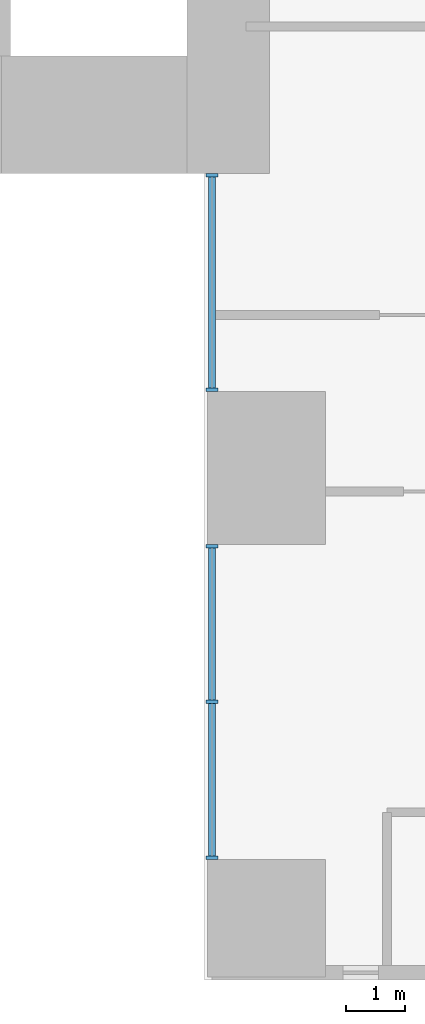
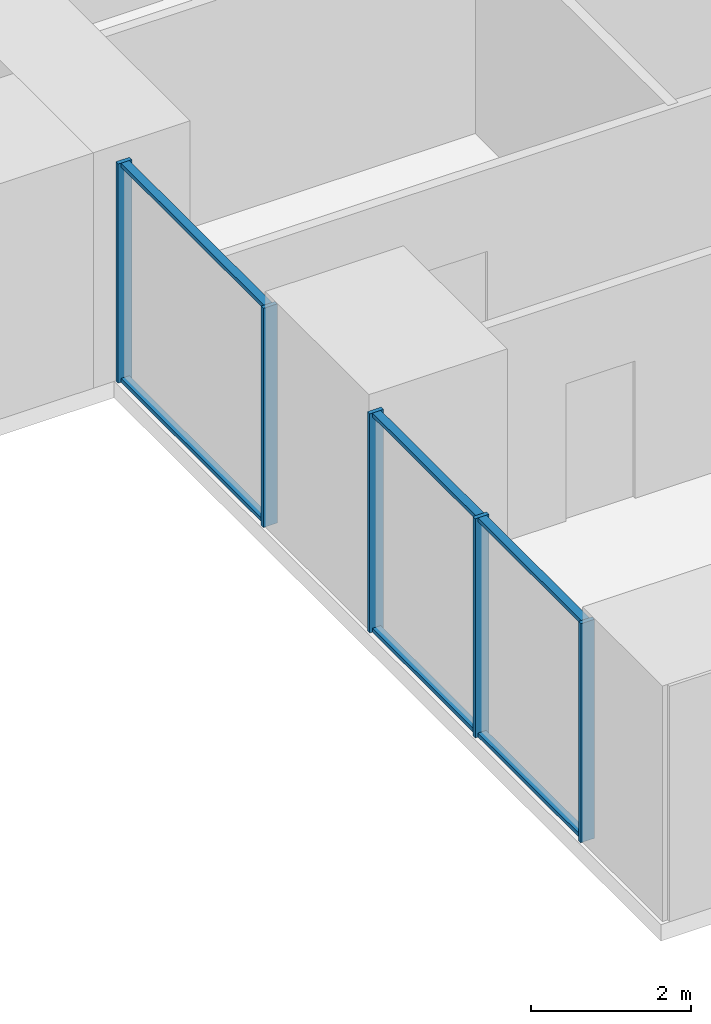
# One storey, part 3 of 20: 11 members, 2 elements without a shape of their own.
"""IFC4 building model written with IfcOpenShell, lengths in metres."""

from ifc_helpers import new_model, si_unit, direction, frame, origin, origin_2d, place, context, subcontext, project, spatial, rectangle, extrude, material, layer, layer_set, material_profile, profile_set, type_object, element, aggregate, save


model = new_model("IFC4")

# Units and contexts
model_context = context("Model", 3, precision=1e-05, world=origin(), true_north=direction((0.0, 1.0)))
body_context = subcontext(model_context, "Body", "Model", "MODEL_VIEW")
ifc_project = project(units=[si_unit("LENGTHUNIT", "METRE"), si_unit("AREAUNIT", "SQUARE_METRE"), si_unit("VOLUMEUNIT", "CUBIC_METRE"), si_unit("PLANEANGLEUNIT", "RADIAN"), si_unit("MASSUNIT", "GRAM", prefix="KILO")], contexts=[model_context])

# Site, building, storey
site_placement = place(None, origin())
site = spatial("IfcSite", under=ifc_project, at=site_placement, CompositionType="ELEMENT")
building_placement = place(site_placement, origin())
building = spatial("IfcBuilding", under=site, at=building_placement, Name="Cleftline Residences", CompositionType="ELEMENT")
storey_placement = place(building_placement, frame((0.0, 0.0, 96.199951171875)))
storey = spatial("IfcBuildingStorey", under=building, at=storey_placement, Name="L24", CompositionType="ELEMENT", Elevation=96.199951171875)

# Curtain wall, members
ifc_material_1 = material(Name="Aluminium framed curtain wall", Category="aluminium")
ifc_layer = layer(ifc_material_1, 0.199951171875)
ifc_layer_set = layer_set([ifc_layer], Name="CW1 CLEFT GLAZING")
curtain_wall_type = type_object("IfcCurtainWallType", Name="CW1 CLEFT GLAZING", PredefinedType="NOTDEFINED", material=ifc_layer_set)
curtain_wall_1_placement = place(storey_placement, origin())
curtain_wall_1 = element("IfcCurtainWall", 1, at=curtain_wall_1_placement, inside=storey, type_object=curtain_wall_type, Name="Curtain wall CW1", PredefinedType="NOTDEFINED")
ifc_material_2 = material(Name="Aluminium mullion", Category="aluminium")
ifc_material_profile_1 = material_profile(ifc_material_2, rectangle(XDim=0.199951171875, YDim=0.06005859375, at=origin_2d()))
ifc_profile_set_1 = profile_set([ifc_material_profile_1], Name="Aluminium mullion")
member_type_1 = type_object("IfcMemberType", Name="CW1 MULLION", PredefinedType="MULLION", material=ifc_profile_set_1)
member_1_placement = place(storey_placement, frame((41.425048828125, 12.969970703125, 0.0), z_axis=(0.0, 0.0, 1.0), x_axis=(1.0, 0.0, 0.0)))
member_1 = element("IfcMember", 2, at=member_1_placement, type_object=member_type_1, Name="CW1 mullion 1", PredefinedType="MULLION", context=body_context, shape_type="SweptSolid", body=[
    extrude(rectangle(XDim=0.199951171875, YDim=0.06005859375, at=origin_2d()), origin(), (0.0, 0.0, 1.0), 3.35009765625),
])
member_2_placement = place(storey_placement, frame((41.425048828125, 9.330078125, 0.0), z_axis=(0.0, 0.0, 1.0), x_axis=(1.0, 0.0, 0.0)))
member_2 = element("IfcMember", 3, at=member_2_placement, type_object=member_type_1, Name="CW1 mullion 2", PredefinedType="MULLION", context=body_context, shape_type="SweptSolid", body=[
    extrude(rectangle(XDim=0.199951171875, YDim=0.06005859375, at=origin_2d()), origin(), (0.0, 0.0, 1.0), 3.35009765625),
])

curtain_wall_2_placement = place(storey_placement, origin())
curtain_wall_2 = element("IfcCurtainWall", 4, at=curtain_wall_2_placement, inside=storey, type_object=curtain_wall_type, Name="Curtain wall CW1", PredefinedType="NOTDEFINED")
member_3_placement = place(storey_placement, frame((41.425048828125, 6.669921875, 0.0), z_axis=(0.0, 0.0, 1.0), x_axis=(1.0, 0.0, 0.0)))
member_3 = element("IfcMember", 5, at=member_3_placement, type_object=member_type_1, Name="CW1 mullion 1", PredefinedType="MULLION", context=body_context, shape_type="SweptSolid", body=[
    extrude(rectangle(XDim=0.199951171875, YDim=0.06005859375, at=origin_2d()), origin(), (0.0, 0.0, 1.0), 3.35009765625),
])
member_4_placement = place(storey_placement, frame((41.425048828125, 4.02490234375, 0.0), z_axis=(0.0, 0.0, 1.0), x_axis=(1.0, 0.0, 0.0)))
member_4 = element("IfcMember", 6, at=member_4_placement, type_object=member_type_1, Name="CW1 mullion 2", PredefinedType="MULLION", context=body_context, shape_type="SweptSolid", body=[
    extrude(rectangle(XDim=0.199951171875, YDim=0.06005859375, at=origin_2d()), origin(), (0.0, 0.0, 1.0), 3.35009765625),
])
member_5_placement = place(storey_placement, frame((41.425048828125, 1.3798828125, 0.0), z_axis=(0.0, 0.0, 1.0), x_axis=(1.0, 0.0, 0.0)))
member_5 = element("IfcMember", 7, at=member_5_placement, type_object=member_type_1, Name="CW1 mullion 3", PredefinedType="MULLION", context=body_context, shape_type="SweptSolid", body=[
    extrude(rectangle(XDim=0.199951171875, YDim=0.06005859375, at=origin_2d()), origin(), (0.0, 0.0, 1.0), 3.35009765625),
])

# Member
ifc_material_3 = material(Name="Aluminium transom", Category="aluminium")
ifc_material_profile_2 = material_profile(ifc_material_3, rectangle(XDim=0.1201171875, YDim=0.06005859375, at=origin_2d()))
ifc_profile_set_2 = profile_set([ifc_material_profile_2], Name="Aluminium transom")
member_type_2 = type_object("IfcMemberType", Name="CW1 TRANSOM", PredefinedType="USERDEFINED", material=ifc_profile_set_2)
member_6_placement = place(storey_placement, frame((41.425048828125, 12.93994140625, 0.030029296875), z_axis=(0.0, -1.0, 0.0), x_axis=(1.0, 0.0, 0.0)))
member_6 = element("IfcMember", 8, at=member_6_placement, type_object=member_type_2, Name="CW1 transom 1.1", ObjectType="TRANSOM", PredefinedType="USERDEFINED", context=body_context, shape_type="SweptSolid", body=[
    extrude(rectangle(XDim=0.1201171875, YDim=0.06005859375, at=origin_2d()), origin(), (0.0, 0.0, 1.0), 3.579833984375),
])

member_7_placement = place(storey_placement, frame((41.425048828125, 12.93994140625, 3.320068359375), z_axis=(0.0, -1.0, 0.0), x_axis=(1.0, 0.0, 0.0)))
member_7 = element("IfcMember", 9, at=member_7_placement, type_object=member_type_2, Name="CW1 transom 1.2", ObjectType="TRANSOM", PredefinedType="USERDEFINED", context=body_context, shape_type="SweptSolid", body=[
    extrude(rectangle(XDim=0.1201171875, YDim=0.06005859375, at=origin_2d()), origin(), (0.0, 0.0, 1.0), 3.579833984375),
])

aggregate(curtain_wall_1, [member_1, member_2, member_6, member_7])

member_8_placement = place(storey_placement, frame((41.425048828125, 6.639892578125, 0.030029296875), z_axis=(0.0, -1.0, 0.0), x_axis=(1.0, 0.0, 0.0)))
member_8 = element("IfcMember", 10, at=member_8_placement, type_object=member_type_2, Name="CW1 transom 1.1", ObjectType="TRANSOM", PredefinedType="USERDEFINED", context=body_context, shape_type="SweptSolid", body=[
    extrude(rectangle(XDim=0.1201171875, YDim=0.06005859375, at=origin_2d()), origin(), (0.0, 0.0, 1.0), 2.5849609375),
])

member_9_placement = place(storey_placement, frame((41.425048828125, 6.639892578125, 3.320068359375), z_axis=(0.0, -1.0, 0.0), x_axis=(1.0, 0.0, 0.0)))
member_9 = element("IfcMember", 11, at=member_9_placement, type_object=member_type_2, Name="CW1 transom 1.2", ObjectType="TRANSOM", PredefinedType="USERDEFINED", context=body_context, shape_type="SweptSolid", body=[
    extrude(rectangle(XDim=0.1201171875, YDim=0.06005859375, at=origin_2d()), origin(), (0.0, 0.0, 1.0), 2.5849609375),
])

member_10_placement = place(storey_placement, frame((41.425048828125, 3.9951171875, 0.030029296875), z_axis=(0.0, -1.0, 0.0), x_axis=(1.0, 0.0, 0.0)))
member_10 = element("IfcMember", 12, at=member_10_placement, type_object=member_type_2, Name="CW1 transom 2.1", ObjectType="TRANSOM", PredefinedType="USERDEFINED", context=body_context, shape_type="SweptSolid", body=[
    extrude(rectangle(XDim=0.1201171875, YDim=0.06005859375, at=origin_2d()), origin(), (0.0, 0.0, 1.0), 2.585205078125),
])

member_11_placement = place(storey_placement, frame((41.425048828125, 3.9951171875, 3.320068359375), z_axis=(0.0, -1.0, 0.0), x_axis=(1.0, 0.0, 0.0)))
member_11 = element("IfcMember", 13, at=member_11_placement, type_object=member_type_2, Name="CW1 transom 2.2", ObjectType="TRANSOM", PredefinedType="USERDEFINED", context=body_context, shape_type="SweptSolid", body=[
    extrude(rectangle(XDim=0.1201171875, YDim=0.06005859375, at=origin_2d()), origin(), (0.0, 0.0, 1.0), 2.585205078125),
])

aggregate(curtain_wall_2, [member_3, member_4, member_5, member_8, member_9, member_10, member_11])

save(model, "model.ifc")
